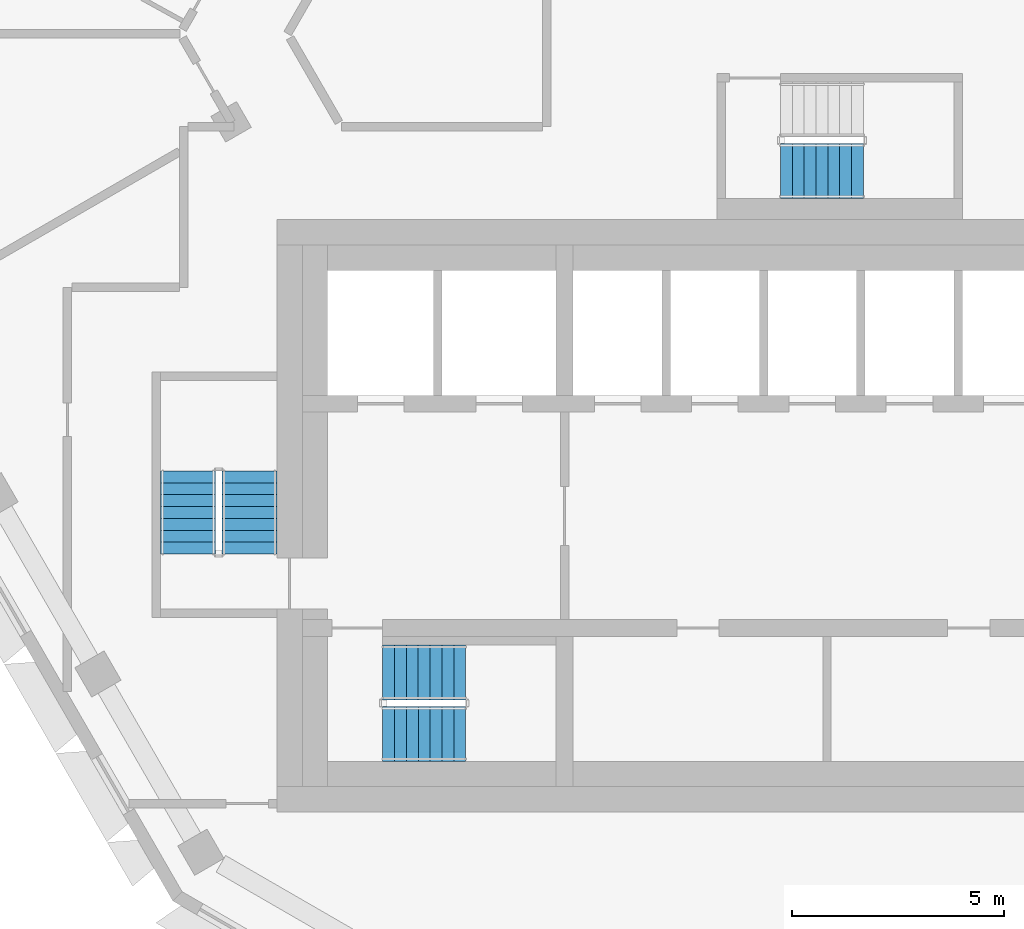
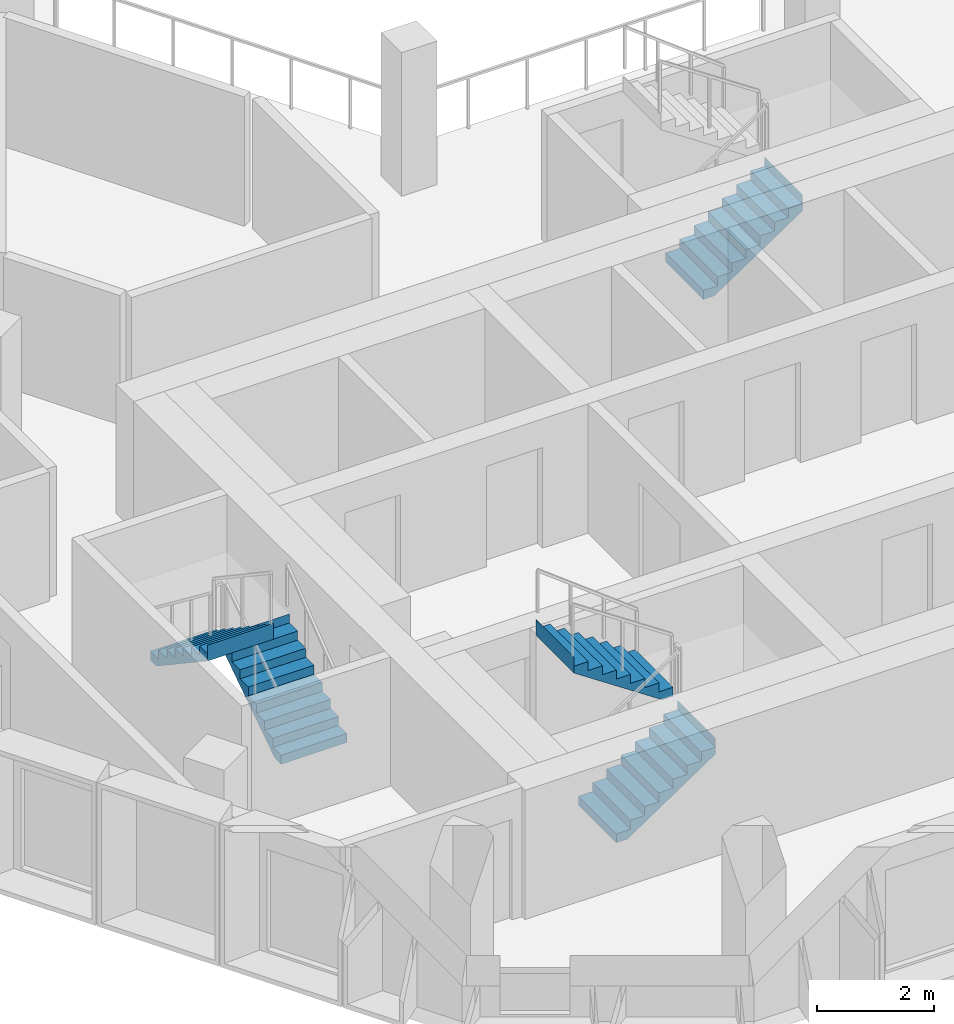
# One storey, part 8 of 14: 5 stair flights, 3 elements without a shape of their own.
"""IFC4 building model written with IfcOpenShell, lengths in metres."""

from ifc_helpers import new_model, si_unit, direction, frame, origin, place, context, subcontext, project, spatial, triangles, material, type_object, element, aggregate, save


model = new_model("IFC4")

# Units and contexts
model_context = context("Model", 3, precision=1e-05, world=origin(), true_north=direction((0.0, 1.0)))
body_context = subcontext(model_context, "Body", "Model", "MODEL_VIEW")
ifc_project = project(units=[si_unit("LENGTHUNIT", "METRE"), si_unit("AREAUNIT", "SQUARE_METRE"), si_unit("VOLUMEUNIT", "CUBIC_METRE"), si_unit("PLANEANGLEUNIT", "RADIAN"), si_unit("MASSUNIT", "GRAM", prefix="KILO")], contexts=[model_context])

# Site, building, storey
site_placement = place(None, origin())
site = spatial("IfcSite", under=ifc_project, at=site_placement, CompositionType="ELEMENT")
building_placement = place(site_placement, origin())
building = spatial("IfcBuilding", under=site, at=building_placement, Name="Beryl Residences", CompositionType="ELEMENT")
storey_placement = place(building_placement, frame((0.0, 0.0, 181.199951171875)))
storey = spatial("IfcBuildingStorey", under=building, at=storey_placement, Name="L55", CompositionType="ELEMENT", Elevation=181.199951171875)

# Stair, stair flights
ifc_material_1 = material(Name="Concrete C40/50", Category="concrete")
stair_type = type_object("IfcStairType", Name="ST1 protected exit stair, half-turn, 1300 mm flights", PredefinedType="HALF_TURN_STAIR", material=ifc_material_1)
stair_1_placement = place(storey_placement, origin())
stair_1 = element("IfcStair", 1, at=stair_1_placement, inside=storey, type_object=stair_type, Name="L55 PROTECTED EXIT STAIR ST-1", PredefinedType="HALF_TURN_STAIR")
ifc_material_2 = material(Name="Concrete C40/50", Category="concrete")
stair_flight_type = type_object("IfcStairFlightType", Name="SF1 stair flight 1300 mm", PredefinedType="STRAIGHT", material=ifc_material_2)
stair_flight_1_placement = place(storey_placement, frame((-10.800048828125, -17.14990234375, 0.0), z_axis=(0.0, 0.0, 1.0), x_axis=(1.0, 0.0, 0.0)))
stair_flight_1 = element("IfcStairFlight", 2, at=stair_flight_1_placement, type_object=stair_flight_type, Name="ST-1 flight 1", NumberOfRisers=8, NumberOfTreads=7, PredefinedType="STRAIGHT", RiserHeight=0.1875, TreadLength=0.28, context=body_context, shape_type="Tessellation", body=[
    triangles([(0.0, -0.64990234375, 0.0), (0.0, -0.324951171875, 0.0), (0.0, 0.0, 0.0), (0.0, 0.324951171875, 0.0), (0.0, 0.64990234375, 0.0), (0.0, -0.64990234375, 0.1875), (0.0, -0.324951171875, 0.1875), (0.0, 0.0, 0.1875), (0.0, 0.324951171875, 0.1875), (0.0, 0.64990234375, 0.1875), (0.280029296875, -0.64990234375, 0.1875), (0.280029296875, -0.324951171875, 0.1875), (0.280029296875, 0.0, 0.1875), (0.280029296875, 0.324951171875, 0.1875), (0.280029296875, 0.64990234375, 0.1875), (0.280029296875, -0.64990234375, 0.375), (0.280029296875, -0.324951171875, 0.375), (0.280029296875, 0.0, 0.375), (0.280029296875, 0.324951171875, 0.375), (0.280029296875, 0.64990234375, 0.375), (0.56005859375, -0.64990234375, 0.375), (0.56005859375, -0.324951171875, 0.375), (0.56005859375, 0.0, 0.375), (0.56005859375, 0.324951171875, 0.375), (0.56005859375, 0.64990234375, 0.375), (0.56005859375, -0.64990234375, 0.5625), (0.56005859375, -0.324951171875, 0.5625), (0.56005859375, 0.0, 0.5625), (0.56005859375, 0.324951171875, 0.5625), (0.56005859375, 0.64990234375, 0.5625), (0.840087890625, -0.64990234375, 0.5625), (0.840087890625, -0.324951171875, 0.5625), (0.840087890625, 0.0, 0.5625), (0.840087890625, 0.324951171875, 0.5625), (0.840087890625, 0.64990234375, 0.5625), (0.840087890625, -0.64990234375, 0.75), (0.840087890625, -0.324951171875, 0.75), (0.840087890625, 0.0, 0.75), (0.840087890625, 0.324951171875, 0.75), (0.840087890625, 0.64990234375, 0.75), (1.1201171875, -0.64990234375, 0.75), (1.1201171875, -0.324951171875, 0.75), (1.1201171875, 0.0, 0.75), (1.1201171875, 0.324951171875, 0.75), (1.1201171875, 0.64990234375, 0.75), (1.1201171875, -0.64990234375, 0.9375), (1.1201171875, -0.324951171875, 0.9375), (1.1201171875, 0.0, 0.9375), (1.1201171875, 0.324951171875, 0.9375), (1.1201171875, 0.64990234375, 0.9375), (1.39990234375, -0.64990234375, 0.9375), (1.39990234375, -0.324951171875, 0.9375), (1.39990234375, 0.0, 0.9375), (1.39990234375, 0.324951171875, 0.9375), (1.39990234375, 0.64990234375, 0.9375), (1.39990234375, -0.64990234375, 1.125), (1.39990234375, -0.324951171875, 1.125), (1.39990234375, 0.0, 1.125), (1.39990234375, 0.324951171875, 1.125), (1.39990234375, 0.64990234375, 1.125), (1.679931640625, -0.64990234375, 1.125), (1.679931640625, -0.324951171875, 1.125), (1.679931640625, 0.0, 1.125), (1.679931640625, 0.324951171875, 1.125), (1.679931640625, 0.64990234375, 1.125), (1.679931640625, -0.64990234375, 1.3125), (1.679931640625, -0.324951171875, 1.3125), (1.679931640625, 0.0, 1.3125), (1.679931640625, 0.324951171875, 1.3125), (1.679931640625, 0.64990234375, 1.3125), (1.9599609375, -0.64990234375, 1.3125), (1.9599609375, -0.324951171875, 1.3125), (1.9599609375, 0.0, 1.3125), (1.9599609375, 0.324951171875, 1.3125), (1.9599609375, 0.64990234375, 1.3125), (1.9599609375, -0.64990234375, 1.5), (1.9599609375, -0.324951171875, 1.5), (1.9599609375, 0.0, 1.5), (1.9599609375, 0.324951171875, 1.5), (1.9599609375, 0.64990234375, 1.5), (1.9609375, -0.64990234375, 1.5), (1.9609375, -0.324951171875, 1.5), (1.9609375, 0.0, 1.5), (1.9609375, 0.324951171875, 1.5), (1.9609375, 0.64990234375, 1.5), (1.9609375, -0.64990234375, 1.16796875), (1.9609375, -0.324951171875, 1.16796875), (1.9609375, 0.0, 1.16796875), (1.9609375, 0.324951171875, 1.16796875), (1.9609375, 0.64990234375, 1.16796875), (0.216796875, -0.64990234375, 0.0), (0.216796875, -0.324951171875, 0.0), (0.216796875, 0.0, 0.0), (0.216796875, 0.324951171875, 0.0), (0.216796875, 0.64990234375, 0.0)], [[1, 6, 7], [1, 7, 2], [2, 7, 8], [2, 8, 3], [3, 8, 9], [3, 9, 4], [4, 9, 10], [4, 10, 5], [6, 11, 12], [6, 12, 7], [7, 12, 13], [7, 13, 8], [8, 13, 14], [8, 14, 9], [9, 14, 15], [9, 15, 10], [11, 16, 17], [11, 17, 12], [12, 17, 18], [12, 18, 13], [13, 18, 19], [13, 19, 14], [14, 19, 20], [14, 20, 15], [16, 21, 22], [16, 22, 17], [17, 22, 23], [17, 23, 18], [18, 23, 24], [18, 24, 19], [19, 24, 25], [19, 25, 20], [21, 26, 27], [21, 27, 22], [22, 27, 28], [22, 28, 23], [23, 28, 29], [23, 29, 24], [24, 29, 30], [24, 30, 25], [26, 31, 32], [26, 32, 27], [27, 32, 33], [27, 33, 28], [28, 33, 34], [28, 34, 29], [29, 34, 35], [29, 35, 30], [31, 36, 37], [31, 37, 32], [32, 37, 38], [32, 38, 33], [33, 38, 39], [33, 39, 34], [34, 39, 40], [34, 40, 35], [36, 41, 42], [36, 42, 37], [37, 42, 43], [37, 43, 38], [38, 43, 44], [38, 44, 39], [39, 44, 45], [39, 45, 40], [41, 46, 47], [41, 47, 42], [42, 47, 48], [42, 48, 43], [43, 48, 49], [43, 49, 44], [44, 49, 50], [44, 50, 45], [46, 51, 52], [46, 52, 47], [47, 52, 53], [47, 53, 48], [48, 53, 54], [48, 54, 49], [49, 54, 55], [49, 55, 50], [51, 56, 57], [51, 57, 52], [52, 57, 58], [52, 58, 53], [53, 58, 59], [53, 59, 54], [54, 59, 60], [54, 60, 55], [56, 61, 62], [56, 62, 57], [57, 62, 63], [57, 63, 58], [58, 63, 64], [58, 64, 59], [59, 64, 65], [59, 65, 60], [61, 66, 67], [61, 67, 62], [62, 67, 68], [62, 68, 63], [63, 68, 69], [63, 69, 64], [64, 69, 70], [64, 70, 65], [66, 71, 72], [66, 72, 67], [67, 72, 73], [67, 73, 68], [68, 73, 74], [68, 74, 69], [69, 74, 75], [69, 75, 70], [71, 76, 77], [71, 77, 72], [72, 77, 78], [72, 78, 73], [73, 78, 79], [73, 79, 74], [74, 79, 80], [74, 80, 75], [76, 81, 82], [76, 82, 77], [77, 82, 83], [77, 83, 78], [78, 83, 84], [78, 84, 79], [79, 84, 85], [79, 85, 80], [81, 86, 87], [81, 87, 82], [82, 87, 88], [82, 88, 83], [83, 88, 89], [83, 89, 84], [84, 89, 90], [84, 90, 85], [86, 91, 92], [86, 92, 87], [87, 92, 93], [87, 93, 88], [88, 93, 94], [88, 94, 89], [89, 94, 95], [89, 95, 90], [91, 1, 2], [91, 2, 92], [92, 2, 3], [92, 3, 93], [93, 3, 4], [93, 4, 94], [94, 4, 5], [94, 5, 95], [1, 91, 86], [5, 90, 95], [86, 81, 76], [90, 80, 85], [86, 76, 71], [90, 75, 80], [86, 71, 66], [90, 70, 75], [86, 66, 61], [90, 65, 70], [61, 56, 51], [65, 55, 60], [86, 61, 51], [90, 55, 65], [51, 46, 41], [55, 45, 50], [86, 51, 41], [90, 45, 55], [41, 36, 31], [45, 35, 40], [86, 41, 31], [90, 35, 45], [31, 26, 21], [35, 25, 30], [86, 31, 21], [90, 25, 35], [21, 16, 11], [25, 15, 20], [86, 21, 11], [90, 15, 25], [1, 86, 11], [5, 15, 90], [11, 6, 1], [15, 5, 10]], closed=True),
])
stair_flight_2_placement = place(storey_placement, frame((-8.840087890625, -15.699951171875, 1.5), z_axis=(0.0, 0.0, 1.0), x_axis=(-1.0, 0.0, 0.0)))
stair_flight_2 = element("IfcStairFlight", 3, at=stair_flight_2_placement, type_object=stair_flight_type, Name="ST-1 flight 2", NumberOfRisers=8, NumberOfTreads=7, PredefinedType="STRAIGHT", RiserHeight=0.1875, TreadLength=0.28, context=body_context, shape_type="Tessellation", body=[
    triangles([(0.0, -0.64990234375, 0.0), (0.0, -0.324951171875, 0.0), (0.0, 0.0, 0.0), (0.0, 0.324951171875, 0.0), (0.0, 0.64990234375, 0.0), (0.0, -0.64990234375, 0.1875), (0.0, -0.324951171875, 0.1875), (0.0, 0.0, 0.1875), (0.0, 0.324951171875, 0.1875), (0.0, 0.64990234375, 0.1875), (0.280029296875, -0.64990234375, 0.1875), (0.280029296875, -0.324951171875, 0.1875), (0.280029296875, 0.0, 0.1875), (0.280029296875, 0.324951171875, 0.1875), (0.280029296875, 0.64990234375, 0.1875), (0.280029296875, -0.64990234375, 0.375), (0.280029296875, -0.324951171875, 0.375), (0.280029296875, 0.0, 0.375), (0.280029296875, 0.324951171875, 0.375), (0.280029296875, 0.64990234375, 0.375), (0.56005859375, -0.64990234375, 0.375), (0.56005859375, -0.324951171875, 0.375), (0.56005859375, 0.0, 0.375), (0.56005859375, 0.324951171875, 0.375), (0.56005859375, 0.64990234375, 0.375), (0.56005859375, -0.64990234375, 0.5625), (0.56005859375, -0.324951171875, 0.5625), (0.56005859375, 0.0, 0.5625), (0.56005859375, 0.324951171875, 0.5625), (0.56005859375, 0.64990234375, 0.5625), (0.840087890625, -0.64990234375, 0.5625), (0.840087890625, -0.324951171875, 0.5625), (0.840087890625, 0.0, 0.5625), (0.840087890625, 0.324951171875, 0.5625), (0.840087890625, 0.64990234375, 0.5625), (0.840087890625, -0.64990234375, 0.75), (0.840087890625, -0.324951171875, 0.75), (0.840087890625, 0.0, 0.75), (0.840087890625, 0.324951171875, 0.75), (0.840087890625, 0.64990234375, 0.75), (1.1201171875, -0.64990234375, 0.75), (1.1201171875, -0.324951171875, 0.75), (1.1201171875, 0.0, 0.75), (1.1201171875, 0.324951171875, 0.75), (1.1201171875, 0.64990234375, 0.75), (1.1201171875, -0.64990234375, 0.9375), (1.1201171875, -0.324951171875, 0.9375), (1.1201171875, 0.0, 0.9375), (1.1201171875, 0.324951171875, 0.9375), (1.1201171875, 0.64990234375, 0.9375), (1.39990234375, -0.64990234375, 0.9375), (1.39990234375, -0.324951171875, 0.9375), (1.39990234375, 0.0, 0.9375), (1.39990234375, 0.324951171875, 0.9375), (1.39990234375, 0.64990234375, 0.9375), (1.39990234375, -0.64990234375, 1.125), (1.39990234375, -0.324951171875, 1.125), (1.39990234375, 0.0, 1.125), (1.39990234375, 0.324951171875, 1.125), (1.39990234375, 0.64990234375, 1.125), (1.679931640625, -0.64990234375, 1.125), (1.679931640625, -0.324951171875, 1.125), (1.679931640625, 0.0, 1.125), (1.679931640625, 0.324951171875, 1.125), (1.679931640625, 0.64990234375, 1.125), (1.679931640625, -0.64990234375, 1.3125), (1.679931640625, -0.324951171875, 1.3125), (1.679931640625, 0.0, 1.3125), (1.679931640625, 0.324951171875, 1.3125), (1.679931640625, 0.64990234375, 1.3125), (1.9599609375, -0.64990234375, 1.3125), (1.9599609375, -0.324951171875, 1.3125), (1.9599609375, 0.0, 1.3125), (1.9599609375, 0.324951171875, 1.3125), (1.9599609375, 0.64990234375, 1.3125), (1.9599609375, -0.64990234375, 1.5), (1.9599609375, -0.324951171875, 1.5), (1.9599609375, 0.0, 1.5), (1.9599609375, 0.324951171875, 1.5), (1.9599609375, 0.64990234375, 1.5), (1.9609375, -0.64990234375, 1.5), (1.9609375, -0.324951171875, 1.5), (1.9609375, 0.0, 1.5), (1.9609375, 0.324951171875, 1.5), (1.9609375, 0.64990234375, 1.5), (1.9609375, -0.64990234375, 1.16796875), (1.9609375, -0.324951171875, 1.16796875), (1.9609375, 0.0, 1.16796875), (1.9609375, 0.324951171875, 1.16796875), (1.9609375, 0.64990234375, 1.16796875), (0.216796875, -0.64990234375, 0.0), (0.216796875, -0.324951171875, 0.0), (0.216796875, 0.0, 0.0), (0.216796875, 0.324951171875, 0.0), (0.216796875, 0.64990234375, 0.0)], [[1, 6, 7], [1, 7, 2], [2, 7, 8], [2, 8, 3], [3, 8, 9], [3, 9, 4], [4, 9, 10], [4, 10, 5], [6, 11, 12], [6, 12, 7], [7, 12, 13], [7, 13, 8], [8, 13, 14], [8, 14, 9], [9, 14, 15], [9, 15, 10], [11, 16, 17], [11, 17, 12], [12, 17, 18], [12, 18, 13], [13, 18, 19], [13, 19, 14], [14, 19, 20], [14, 20, 15], [16, 21, 22], [16, 22, 17], [17, 22, 23], [17, 23, 18], [18, 23, 24], [18, 24, 19], [19, 24, 25], [19, 25, 20], [21, 26, 27], [21, 27, 22], [22, 27, 28], [22, 28, 23], [23, 28, 29], [23, 29, 24], [24, 29, 30], [24, 30, 25], [26, 31, 32], [26, 32, 27], [27, 32, 33], [27, 33, 28], [28, 33, 34], [28, 34, 29], [29, 34, 35], [29, 35, 30], [31, 36, 37], [31, 37, 32], [32, 37, 38], [32, 38, 33], [33, 38, 39], [33, 39, 34], [34, 39, 40], [34, 40, 35], [36, 41, 42], [36, 42, 37], [37, 42, 43], [37, 43, 38], [38, 43, 44], [38, 44, 39], [39, 44, 45], [39, 45, 40], [41, 46, 47], [41, 47, 42], [42, 47, 48], [42, 48, 43], [43, 48, 49], [43, 49, 44], [44, 49, 50], [44, 50, 45], [46, 51, 52], [46, 52, 47], [47, 52, 53], [47, 53, 48], [48, 53, 54], [48, 54, 49], [49, 54, 55], [49, 55, 50], [51, 56, 57], [51, 57, 52], [52, 57, 58], [52, 58, 53], [53, 58, 59], [53, 59, 54], [54, 59, 60], [54, 60, 55], [56, 61, 62], [56, 62, 57], [57, 62, 63], [57, 63, 58], [58, 63, 64], [58, 64, 59], [59, 64, 65], [59, 65, 60], [61, 66, 67], [61, 67, 62], [62, 67, 68], [62, 68, 63], [63, 68, 69], [63, 69, 64], [64, 69, 70], [64, 70, 65], [66, 71, 72], [66, 72, 67], [67, 72, 73], [67, 73, 68], [68, 73, 74], [68, 74, 69], [69, 74, 75], [69, 75, 70], [71, 76, 77], [71, 77, 72], [72, 77, 78], [72, 78, 73], [73, 78, 79], [73, 79, 74], [74, 79, 80], [74, 80, 75], [76, 81, 82], [76, 82, 77], [77, 82, 83], [77, 83, 78], [78, 83, 84], [78, 84, 79], [79, 84, 85], [79, 85, 80], [81, 86, 87], [81, 87, 82], [82, 87, 88], [82, 88, 83], [83, 88, 89], [83, 89, 84], [84, 89, 90], [84, 90, 85], [86, 91, 92], [86, 92, 87], [87, 92, 93], [87, 93, 88], [88, 93, 94], [88, 94, 89], [89, 94, 95], [89, 95, 90], [91, 1, 2], [91, 2, 92], [92, 2, 3], [92, 3, 93], [93, 3, 4], [93, 4, 94], [94, 4, 5], [94, 5, 95], [1, 91, 86], [5, 90, 95], [86, 81, 76], [90, 80, 85], [86, 76, 71], [90, 75, 80], [86, 71, 66], [90, 70, 75], [86, 66, 61], [90, 65, 70], [61, 56, 51], [65, 55, 60], [86, 61, 51], [90, 55, 65], [51, 46, 41], [55, 45, 50], [86, 51, 41], [90, 45, 55], [41, 36, 31], [45, 35, 40], [86, 41, 31], [90, 35, 45], [31, 26, 21], [35, 25, 30], [86, 31, 21], [90, 25, 35], [21, 16, 11], [25, 15, 20], [86, 21, 11], [90, 15, 25], [1, 86, 11], [5, 15, 90], [11, 6, 1], [15, 5, 10]], closed=True),
])
aggregate(stair_1, [stair_flight_1, stair_flight_2])

stair_2_placement = place(storey_placement, origin())
stair_2 = element("IfcStair", 4, at=stair_2_placement, inside=storey, type_object=stair_type, Name="L55 PROTECTED EXIT STAIR ST-2", PredefinedType="HALF_TURN_STAIR")
stair_flight_3_placement = place(storey_placement, frame((-13.949951171875, -12.89990234375, 0.0), z_axis=(0.0, 0.0, 1.0), x_axis=(0.0, 1.0, 0.0)))
stair_flight_3 = element("IfcStairFlight", 5, at=stair_flight_3_placement, type_object=stair_flight_type, Name="ST-2 flight 1", NumberOfRisers=8, NumberOfTreads=7, PredefinedType="STRAIGHT", RiserHeight=0.1875, TreadLength=0.28, context=body_context, shape_type="Tessellation", body=[
    triangles([(0.0, -0.64990234375, 0.0), (0.0, -0.324951171875, 0.0), (0.0, 0.0, 0.0), (0.0, 0.324951171875, 0.0), (0.0, 0.64990234375, 0.0), (0.0, -0.64990234375, 0.1875), (0.0, -0.324951171875, 0.1875), (0.0, 0.0, 0.1875), (0.0, 0.324951171875, 0.1875), (0.0, 0.64990234375, 0.1875), (0.280029296875, -0.64990234375, 0.1875), (0.280029296875, -0.324951171875, 0.1875), (0.280029296875, 0.0, 0.1875), (0.280029296875, 0.324951171875, 0.1875), (0.280029296875, 0.64990234375, 0.1875), (0.280029296875, -0.64990234375, 0.375), (0.280029296875, -0.324951171875, 0.375), (0.280029296875, 0.0, 0.375), (0.280029296875, 0.324951171875, 0.375), (0.280029296875, 0.64990234375, 0.375), (0.56005859375, -0.64990234375, 0.375), (0.56005859375, -0.324951171875, 0.375), (0.56005859375, 0.0, 0.375), (0.56005859375, 0.324951171875, 0.375), (0.56005859375, 0.64990234375, 0.375), (0.56005859375, -0.64990234375, 0.5625), (0.56005859375, -0.324951171875, 0.5625), (0.56005859375, 0.0, 0.5625), (0.56005859375, 0.324951171875, 0.5625), (0.56005859375, 0.64990234375, 0.5625), (0.840087890625, -0.64990234375, 0.5625), (0.840087890625, -0.324951171875, 0.5625), (0.840087890625, 0.0, 0.5625), (0.840087890625, 0.324951171875, 0.5625), (0.840087890625, 0.64990234375, 0.5625), (0.840087890625, -0.64990234375, 0.75), (0.840087890625, -0.324951171875, 0.75), (0.840087890625, 0.0, 0.75), (0.840087890625, 0.324951171875, 0.75), (0.840087890625, 0.64990234375, 0.75), (1.1201171875, -0.64990234375, 0.75), (1.1201171875, -0.324951171875, 0.75), (1.1201171875, 0.0, 0.75), (1.1201171875, 0.324951171875, 0.75), (1.1201171875, 0.64990234375, 0.75), (1.1201171875, -0.64990234375, 0.9375), (1.1201171875, -0.324951171875, 0.9375), (1.1201171875, 0.0, 0.9375), (1.1201171875, 0.324951171875, 0.9375), (1.1201171875, 0.64990234375, 0.9375), (1.39990234375, -0.64990234375, 0.9375), (1.39990234375, -0.324951171875, 0.9375), (1.39990234375, 0.0, 0.9375), (1.39990234375, 0.324951171875, 0.9375), (1.39990234375, 0.64990234375, 0.9375), (1.39990234375, -0.64990234375, 1.125), (1.39990234375, -0.324951171875, 1.125), (1.39990234375, 0.0, 1.125), (1.39990234375, 0.324951171875, 1.125), (1.39990234375, 0.64990234375, 1.125), (1.679931640625, -0.64990234375, 1.125), (1.679931640625, -0.324951171875, 1.125), (1.679931640625, 0.0, 1.125), (1.679931640625, 0.324951171875, 1.125), (1.679931640625, 0.64990234375, 1.125), (1.679931640625, -0.64990234375, 1.3125), (1.679931640625, -0.324951171875, 1.3125), (1.679931640625, 0.0, 1.3125), (1.679931640625, 0.324951171875, 1.3125), (1.679931640625, 0.64990234375, 1.3125), (1.9599609375, -0.64990234375, 1.3125), (1.9599609375, -0.324951171875, 1.3125), (1.9599609375, 0.0, 1.3125), (1.9599609375, 0.324951171875, 1.3125), (1.9599609375, 0.64990234375, 1.3125), (1.9599609375, -0.64990234375, 1.5), (1.9599609375, -0.324951171875, 1.5), (1.9599609375, 0.0, 1.5), (1.9599609375, 0.324951171875, 1.5), (1.9599609375, 0.64990234375, 1.5), (1.9609375, -0.64990234375, 1.5), (1.9609375, -0.324951171875, 1.5), (1.9609375, 0.0, 1.5), (1.9609375, 0.324951171875, 1.5), (1.9609375, 0.64990234375, 1.5), (1.9609375, -0.64990234375, 1.16796875), (1.9609375, -0.324951171875, 1.16796875), (1.9609375, 0.0, 1.16796875), (1.9609375, 0.324951171875, 1.16796875), (1.9609375, 0.64990234375, 1.16796875), (0.216796875, -0.64990234375, 0.0), (0.216796875, -0.324951171875, 0.0), (0.216796875, 0.0, 0.0), (0.216796875, 0.324951171875, 0.0), (0.216796875, 0.64990234375, 0.0)], [[1, 6, 7], [1, 7, 2], [2, 7, 8], [2, 8, 3], [3, 8, 9], [3, 9, 4], [4, 9, 10], [4, 10, 5], [6, 11, 12], [6, 12, 7], [7, 12, 13], [7, 13, 8], [8, 13, 14], [8, 14, 9], [9, 14, 15], [9, 15, 10], [11, 16, 17], [11, 17, 12], [12, 17, 18], [12, 18, 13], [13, 18, 19], [13, 19, 14], [14, 19, 20], [14, 20, 15], [16, 21, 22], [16, 22, 17], [17, 22, 23], [17, 23, 18], [18, 23, 24], [18, 24, 19], [19, 24, 25], [19, 25, 20], [21, 26, 27], [21, 27, 22], [22, 27, 28], [22, 28, 23], [23, 28, 29], [23, 29, 24], [24, 29, 30], [24, 30, 25], [26, 31, 32], [26, 32, 27], [27, 32, 33], [27, 33, 28], [28, 33, 34], [28, 34, 29], [29, 34, 35], [29, 35, 30], [31, 36, 37], [31, 37, 32], [32, 37, 38], [32, 38, 33], [33, 38, 39], [33, 39, 34], [34, 39, 40], [34, 40, 35], [36, 41, 42], [36, 42, 37], [37, 42, 43], [37, 43, 38], [38, 43, 44], [38, 44, 39], [39, 44, 45], [39, 45, 40], [41, 46, 47], [41, 47, 42], [42, 47, 48], [42, 48, 43], [43, 48, 49], [43, 49, 44], [44, 49, 50], [44, 50, 45], [46, 51, 52], [46, 52, 47], [47, 52, 53], [47, 53, 48], [48, 53, 54], [48, 54, 49], [49, 54, 55], [49, 55, 50], [51, 56, 57], [51, 57, 52], [52, 57, 58], [52, 58, 53], [53, 58, 59], [53, 59, 54], [54, 59, 60], [54, 60, 55], [56, 61, 62], [56, 62, 57], [57, 62, 63], [57, 63, 58], [58, 63, 64], [58, 64, 59], [59, 64, 65], [59, 65, 60], [61, 66, 67], [61, 67, 62], [62, 67, 68], [62, 68, 63], [63, 68, 69], [63, 69, 64], [64, 69, 70], [64, 70, 65], [66, 71, 72], [66, 72, 67], [67, 72, 73], [67, 73, 68], [68, 73, 74], [68, 74, 69], [69, 74, 75], [69, 75, 70], [71, 76, 77], [71, 77, 72], [72, 77, 78], [72, 78, 73], [73, 78, 79], [73, 79, 74], [74, 79, 80], [74, 80, 75], [76, 81, 82], [76, 82, 77], [77, 82, 83], [77, 83, 78], [78, 83, 84], [78, 84, 79], [79, 84, 85], [79, 85, 80], [81, 86, 87], [81, 87, 82], [82, 87, 88], [82, 88, 83], [83, 88, 89], [83, 89, 84], [84, 89, 90], [84, 90, 85], [86, 91, 92], [86, 92, 87], [87, 92, 93], [87, 93, 88], [88, 93, 94], [88, 94, 89], [89, 94, 95], [89, 95, 90], [91, 1, 2], [91, 2, 92], [92, 2, 3], [92, 3, 93], [93, 3, 4], [93, 4, 94], [94, 4, 5], [94, 5, 95], [1, 91, 86], [5, 90, 95], [86, 81, 76], [90, 80, 85], [86, 76, 71], [90, 75, 80], [86, 71, 66], [90, 70, 75], [86, 66, 61], [90, 65, 70], [61, 56, 51], [65, 55, 60], [86, 61, 51], [90, 55, 65], [51, 46, 41], [55, 45, 50], [86, 51, 41], [90, 45, 55], [41, 36, 31], [45, 35, 40], [86, 41, 31], [90, 35, 45], [31, 26, 21], [35, 25, 30], [86, 31, 21], [90, 25, 35], [21, 16, 11], [25, 15, 20], [86, 21, 11], [90, 15, 25], [1, 86, 11], [5, 15, 90], [11, 6, 1], [15, 5, 10]], closed=True),
])
stair_flight_4_placement = place(storey_placement, frame((-15.39990234375, -10.93994140625, 1.5), z_axis=(0.0, 0.0, 1.0), x_axis=(0.0, -1.0, 0.0)))
stair_flight_4 = element("IfcStairFlight", 6, at=stair_flight_4_placement, type_object=stair_flight_type, Name="ST-2 flight 2", NumberOfRisers=8, NumberOfTreads=7, PredefinedType="STRAIGHT", RiserHeight=0.1875, TreadLength=0.28, context=body_context, shape_type="Tessellation", body=[
    triangles([(0.0, -0.64990234375, 0.0), (0.0, -0.324951171875, 0.0), (0.0, 0.0, 0.0), (0.0, 0.324951171875, 0.0), (0.0, 0.64990234375, 0.0), (0.0, -0.64990234375, 0.1875), (0.0, -0.324951171875, 0.1875), (0.0, 0.0, 0.1875), (0.0, 0.324951171875, 0.1875), (0.0, 0.64990234375, 0.1875), (0.280029296875, -0.64990234375, 0.1875), (0.280029296875, -0.324951171875, 0.1875), (0.280029296875, 0.0, 0.1875), (0.280029296875, 0.324951171875, 0.1875), (0.280029296875, 0.64990234375, 0.1875), (0.280029296875, -0.64990234375, 0.375), (0.280029296875, -0.324951171875, 0.375), (0.280029296875, 0.0, 0.375), (0.280029296875, 0.324951171875, 0.375), (0.280029296875, 0.64990234375, 0.375), (0.56005859375, -0.64990234375, 0.375), (0.56005859375, -0.324951171875, 0.375), (0.56005859375, 0.0, 0.375), (0.56005859375, 0.324951171875, 0.375), (0.56005859375, 0.64990234375, 0.375), (0.56005859375, -0.64990234375, 0.5625), (0.56005859375, -0.324951171875, 0.5625), (0.56005859375, 0.0, 0.5625), (0.56005859375, 0.324951171875, 0.5625), (0.56005859375, 0.64990234375, 0.5625), (0.840087890625, -0.64990234375, 0.5625), (0.840087890625, -0.324951171875, 0.5625), (0.840087890625, 0.0, 0.5625), (0.840087890625, 0.324951171875, 0.5625), (0.840087890625, 0.64990234375, 0.5625), (0.840087890625, -0.64990234375, 0.75), (0.840087890625, -0.324951171875, 0.75), (0.840087890625, 0.0, 0.75), (0.840087890625, 0.324951171875, 0.75), (0.840087890625, 0.64990234375, 0.75), (1.1201171875, -0.64990234375, 0.75), (1.1201171875, -0.324951171875, 0.75), (1.1201171875, 0.0, 0.75), (1.1201171875, 0.324951171875, 0.75), (1.1201171875, 0.64990234375, 0.75), (1.1201171875, -0.64990234375, 0.9375), (1.1201171875, -0.324951171875, 0.9375), (1.1201171875, 0.0, 0.9375), (1.1201171875, 0.324951171875, 0.9375), (1.1201171875, 0.64990234375, 0.9375), (1.39990234375, -0.64990234375, 0.9375), (1.39990234375, -0.324951171875, 0.9375), (1.39990234375, 0.0, 0.9375), (1.39990234375, 0.324951171875, 0.9375), (1.39990234375, 0.64990234375, 0.9375), (1.39990234375, -0.64990234375, 1.125), (1.39990234375, -0.324951171875, 1.125), (1.39990234375, 0.0, 1.125), (1.39990234375, 0.324951171875, 1.125), (1.39990234375, 0.64990234375, 1.125), (1.679931640625, -0.64990234375, 1.125), (1.679931640625, -0.324951171875, 1.125), (1.679931640625, 0.0, 1.125), (1.679931640625, 0.324951171875, 1.125), (1.679931640625, 0.64990234375, 1.125), (1.679931640625, -0.64990234375, 1.3125), (1.679931640625, -0.324951171875, 1.3125), (1.679931640625, 0.0, 1.3125), (1.679931640625, 0.324951171875, 1.3125), (1.679931640625, 0.64990234375, 1.3125), (1.9599609375, -0.64990234375, 1.3125), (1.9599609375, -0.324951171875, 1.3125), (1.9599609375, 0.0, 1.3125), (1.9599609375, 0.324951171875, 1.3125), (1.9599609375, 0.64990234375, 1.3125), (1.9599609375, -0.64990234375, 1.5), (1.9599609375, -0.324951171875, 1.5), (1.9599609375, 0.0, 1.5), (1.9599609375, 0.324951171875, 1.5), (1.9599609375, 0.64990234375, 1.5), (1.9609375, -0.64990234375, 1.5), (1.9609375, -0.324951171875, 1.5), (1.9609375, 0.0, 1.5), (1.9609375, 0.324951171875, 1.5), (1.9609375, 0.64990234375, 1.5), (1.9609375, -0.64990234375, 1.16796875), (1.9609375, -0.324951171875, 1.16796875), (1.9609375, 0.0, 1.16796875), (1.9609375, 0.324951171875, 1.16796875), (1.9609375, 0.64990234375, 1.16796875), (0.216796875, -0.64990234375, 0.0), (0.216796875, -0.324951171875, 0.0), (0.216796875, 0.0, 0.0), (0.216796875, 0.324951171875, 0.0), (0.216796875, 0.64990234375, 0.0)], [[1, 6, 7], [1, 7, 2], [2, 7, 8], [2, 8, 3], [3, 8, 9], [3, 9, 4], [4, 9, 10], [4, 10, 5], [6, 11, 12], [6, 12, 7], [7, 12, 13], [7, 13, 8], [8, 13, 14], [8, 14, 9], [9, 14, 15], [9, 15, 10], [11, 16, 17], [11, 17, 12], [12, 17, 18], [12, 18, 13], [13, 18, 19], [13, 19, 14], [14, 19, 20], [14, 20, 15], [16, 21, 22], [16, 22, 17], [17, 22, 23], [17, 23, 18], [18, 23, 24], [18, 24, 19], [19, 24, 25], [19, 25, 20], [21, 26, 27], [21, 27, 22], [22, 27, 28], [22, 28, 23], [23, 28, 29], [23, 29, 24], [24, 29, 30], [24, 30, 25], [26, 31, 32], [26, 32, 27], [27, 32, 33], [27, 33, 28], [28, 33, 34], [28, 34, 29], [29, 34, 35], [29, 35, 30], [31, 36, 37], [31, 37, 32], [32, 37, 38], [32, 38, 33], [33, 38, 39], [33, 39, 34], [34, 39, 40], [34, 40, 35], [36, 41, 42], [36, 42, 37], [37, 42, 43], [37, 43, 38], [38, 43, 44], [38, 44, 39], [39, 44, 45], [39, 45, 40], [41, 46, 47], [41, 47, 42], [42, 47, 48], [42, 48, 43], [43, 48, 49], [43, 49, 44], [44, 49, 50], [44, 50, 45], [46, 51, 52], [46, 52, 47], [47, 52, 53], [47, 53, 48], [48, 53, 54], [48, 54, 49], [49, 54, 55], [49, 55, 50], [51, 56, 57], [51, 57, 52], [52, 57, 58], [52, 58, 53], [53, 58, 59], [53, 59, 54], [54, 59, 60], [54, 60, 55], [56, 61, 62], [56, 62, 57], [57, 62, 63], [57, 63, 58], [58, 63, 64], [58, 64, 59], [59, 64, 65], [59, 65, 60], [61, 66, 67], [61, 67, 62], [62, 67, 68], [62, 68, 63], [63, 68, 69], [63, 69, 64], [64, 69, 70], [64, 70, 65], [66, 71, 72], [66, 72, 67], [67, 72, 73], [67, 73, 68], [68, 73, 74], [68, 74, 69], [69, 74, 75], [69, 75, 70], [71, 76, 77], [71, 77, 72], [72, 77, 78], [72, 78, 73], [73, 78, 79], [73, 79, 74], [74, 79, 80], [74, 80, 75], [76, 81, 82], [76, 82, 77], [77, 82, 83], [77, 83, 78], [78, 83, 84], [78, 84, 79], [79, 84, 85], [79, 85, 80], [81, 86, 87], [81, 87, 82], [82, 87, 88], [82, 88, 83], [83, 88, 89], [83, 89, 84], [84, 89, 90], [84, 90, 85], [86, 91, 92], [86, 92, 87], [87, 92, 93], [87, 93, 88], [88, 93, 94], [88, 94, 89], [89, 94, 95], [89, 95, 90], [91, 1, 2], [91, 2, 92], [92, 2, 3], [92, 3, 93], [93, 3, 4], [93, 4, 94], [94, 4, 5], [94, 5, 95], [1, 91, 86], [5, 90, 95], [86, 81, 76], [90, 80, 85], [86, 76, 71], [90, 75, 80], [86, 71, 66], [90, 70, 75], [86, 66, 61], [90, 65, 70], [61, 56, 51], [65, 55, 60], [86, 61, 51], [90, 55, 65], [51, 46, 41], [55, 45, 50], [86, 51, 41], [90, 45, 55], [41, 36, 31], [45, 35, 40], [86, 41, 31], [90, 35, 45], [31, 26, 21], [35, 25, 30], [86, 31, 21], [90, 25, 35], [21, 16, 11], [25, 15, 20], [86, 21, 11], [90, 15, 25], [1, 86, 11], [5, 15, 90], [11, 6, 1], [15, 5, 10]], closed=True),
])
aggregate(stair_2, [stair_flight_3, stair_flight_4])

# Stair, stair flight
stair_3_placement = place(storey_placement, origin())
stair_3 = element("IfcStair", 7, at=stair_3_placement, inside=storey, type_object=stair_type, Name="L55 PROTECTED EXIT STAIR ST-4", PredefinedType="HALF_TURN_STAIR")
stair_flight_5_placement = place(storey_placement, frame((-1.39990234375, -3.85009765625, 0.0), z_axis=(0.0, 0.0, 1.0), x_axis=(1.0, 0.0, 0.0)))
stair_flight_5 = element("IfcStairFlight", 8, at=stair_flight_5_placement, type_object=stair_flight_type, Name="ST-4 flight 1", NumberOfRisers=8, NumberOfTreads=7, PredefinedType="STRAIGHT", RiserHeight=0.1875, TreadLength=0.28, context=body_context, shape_type="Tessellation", body=[
    triangles([(0.0, -0.64990234375, 0.0), (0.0, -0.324951171875, 0.0), (0.0, 0.0, 0.0), (0.0, 0.324951171875, 0.0), (0.0, 0.64990234375, 0.0), (0.0, -0.64990234375, 0.1875), (0.0, -0.324951171875, 0.1875), (0.0, 0.0, 0.1875), (0.0, 0.324951171875, 0.1875), (0.0, 0.64990234375, 0.1875), (0.280029296875, -0.64990234375, 0.1875), (0.280029296875, -0.324951171875, 0.1875), (0.280029296875, 0.0, 0.1875), (0.280029296875, 0.324951171875, 0.1875), (0.280029296875, 0.64990234375, 0.1875), (0.280029296875, -0.64990234375, 0.375), (0.280029296875, -0.324951171875, 0.375), (0.280029296875, 0.0, 0.375), (0.280029296875, 0.324951171875, 0.375), (0.280029296875, 0.64990234375, 0.375), (0.56005859375, -0.64990234375, 0.375), (0.56005859375, -0.324951171875, 0.375), (0.56005859375, 0.0, 0.375), (0.56005859375, 0.324951171875, 0.375), (0.56005859375, 0.64990234375, 0.375), (0.56005859375, -0.64990234375, 0.5625), (0.56005859375, -0.324951171875, 0.5625), (0.56005859375, 0.0, 0.5625), (0.56005859375, 0.324951171875, 0.5625), (0.56005859375, 0.64990234375, 0.5625), (0.840087890625, -0.64990234375, 0.5625), (0.840087890625, -0.324951171875, 0.5625), (0.840087890625, 0.0, 0.5625), (0.840087890625, 0.324951171875, 0.5625), (0.840087890625, 0.64990234375, 0.5625), (0.840087890625, -0.64990234375, 0.75), (0.840087890625, -0.324951171875, 0.75), (0.840087890625, 0.0, 0.75), (0.840087890625, 0.324951171875, 0.75), (0.840087890625, 0.64990234375, 0.75), (1.1201171875, -0.64990234375, 0.75), (1.1201171875, -0.324951171875, 0.75), (1.1201171875, 0.0, 0.75), (1.1201171875, 0.324951171875, 0.75), (1.1201171875, 0.64990234375, 0.75), (1.1201171875, -0.64990234375, 0.9375), (1.1201171875, -0.324951171875, 0.9375), (1.1201171875, 0.0, 0.9375), (1.1201171875, 0.324951171875, 0.9375), (1.1201171875, 0.64990234375, 0.9375), (1.39990234375, -0.64990234375, 0.9375), (1.39990234375, -0.324951171875, 0.9375), (1.39990234375, 0.0, 0.9375), (1.39990234375, 0.324951171875, 0.9375), (1.39990234375, 0.64990234375, 0.9375), (1.39990234375, -0.64990234375, 1.125), (1.39990234375, -0.324951171875, 1.125), (1.39990234375, 0.0, 1.125), (1.39990234375, 0.324951171875, 1.125), (1.39990234375, 0.64990234375, 1.125), (1.679931640625, -0.64990234375, 1.125), (1.679931640625, -0.324951171875, 1.125), (1.679931640625, 0.0, 1.125), (1.679931640625, 0.324951171875, 1.125), (1.679931640625, 0.64990234375, 1.125), (1.679931640625, -0.64990234375, 1.3125), (1.679931640625, -0.324951171875, 1.3125), (1.679931640625, 0.0, 1.3125), (1.679931640625, 0.324951171875, 1.3125), (1.679931640625, 0.64990234375, 1.3125), (1.9599609375, -0.64990234375, 1.3125), (1.9599609375, -0.324951171875, 1.3125), (1.9599609375, 0.0, 1.3125), (1.9599609375, 0.324951171875, 1.3125), (1.9599609375, 0.64990234375, 1.3125), (1.9599609375, -0.64990234375, 1.5), (1.9599609375, -0.324951171875, 1.5), (1.9599609375, 0.0, 1.5), (1.9599609375, 0.324951171875, 1.5), (1.9599609375, 0.64990234375, 1.5), (1.9609375, -0.64990234375, 1.5), (1.9609375, -0.324951171875, 1.5), (1.9609375, 0.0, 1.5), (1.9609375, 0.324951171875, 1.5), (1.9609375, 0.64990234375, 1.5), (1.9609375, -0.64990234375, 1.16796875), (1.9609375, -0.324951171875, 1.16796875), (1.9609375, 0.0, 1.16796875), (1.9609375, 0.324951171875, 1.16796875), (1.9609375, 0.64990234375, 1.16796875), (0.216796875, -0.64990234375, 0.0), (0.216796875, -0.324951171875, 0.0), (0.216796875, 0.0, 0.0), (0.216796875, 0.324951171875, 0.0), (0.216796875, 0.64990234375, 0.0)], [[1, 6, 7], [1, 7, 2], [2, 7, 8], [2, 8, 3], [3, 8, 9], [3, 9, 4], [4, 9, 10], [4, 10, 5], [6, 11, 12], [6, 12, 7], [7, 12, 13], [7, 13, 8], [8, 13, 14], [8, 14, 9], [9, 14, 15], [9, 15, 10], [11, 16, 17], [11, 17, 12], [12, 17, 18], [12, 18, 13], [13, 18, 19], [13, 19, 14], [14, 19, 20], [14, 20, 15], [16, 21, 22], [16, 22, 17], [17, 22, 23], [17, 23, 18], [18, 23, 24], [18, 24, 19], [19, 24, 25], [19, 25, 20], [21, 26, 27], [21, 27, 22], [22, 27, 28], [22, 28, 23], [23, 28, 29], [23, 29, 24], [24, 29, 30], [24, 30, 25], [26, 31, 32], [26, 32, 27], [27, 32, 33], [27, 33, 28], [28, 33, 34], [28, 34, 29], [29, 34, 35], [29, 35, 30], [31, 36, 37], [31, 37, 32], [32, 37, 38], [32, 38, 33], [33, 38, 39], [33, 39, 34], [34, 39, 40], [34, 40, 35], [36, 41, 42], [36, 42, 37], [37, 42, 43], [37, 43, 38], [38, 43, 44], [38, 44, 39], [39, 44, 45], [39, 45, 40], [41, 46, 47], [41, 47, 42], [42, 47, 48], [42, 48, 43], [43, 48, 49], [43, 49, 44], [44, 49, 50], [44, 50, 45], [46, 51, 52], [46, 52, 47], [47, 52, 53], [47, 53, 48], [48, 53, 54], [48, 54, 49], [49, 54, 55], [49, 55, 50], [51, 56, 57], [51, 57, 52], [52, 57, 58], [52, 58, 53], [53, 58, 59], [53, 59, 54], [54, 59, 60], [54, 60, 55], [56, 61, 62], [56, 62, 57], [57, 62, 63], [57, 63, 58], [58, 63, 64], [58, 64, 59], [59, 64, 65], [59, 65, 60], [61, 66, 67], [61, 67, 62], [62, 67, 68], [62, 68, 63], [63, 68, 69], [63, 69, 64], [64, 69, 70], [64, 70, 65], [66, 71, 72], [66, 72, 67], [67, 72, 73], [67, 73, 68], [68, 73, 74], [68, 74, 69], [69, 74, 75], [69, 75, 70], [71, 76, 77], [71, 77, 72], [72, 77, 78], [72, 78, 73], [73, 78, 79], [73, 79, 74], [74, 79, 80], [74, 80, 75], [76, 81, 82], [76, 82, 77], [77, 82, 83], [77, 83, 78], [78, 83, 84], [78, 84, 79], [79, 84, 85], [79, 85, 80], [81, 86, 87], [81, 87, 82], [82, 87, 88], [82, 88, 83], [83, 88, 89], [83, 89, 84], [84, 89, 90], [84, 90, 85], [86, 91, 92], [86, 92, 87], [87, 92, 93], [87, 93, 88], [88, 93, 94], [88, 94, 89], [89, 94, 95], [89, 95, 90], [91, 1, 2], [91, 2, 92], [92, 2, 3], [92, 3, 93], [93, 3, 4], [93, 4, 94], [94, 4, 5], [94, 5, 95], [1, 91, 86], [5, 90, 95], [86, 81, 76], [90, 80, 85], [86, 76, 71], [90, 75, 80], [86, 71, 66], [90, 70, 75], [86, 66, 61], [90, 65, 70], [61, 56, 51], [65, 55, 60], [86, 61, 51], [90, 55, 65], [51, 46, 41], [55, 45, 50], [86, 51, 41], [90, 45, 55], [41, 36, 31], [45, 35, 40], [86, 41, 31], [90, 35, 45], [31, 26, 21], [35, 25, 30], [86, 31, 21], [90, 25, 35], [21, 16, 11], [25, 15, 20], [86, 21, 11], [90, 15, 25], [1, 86, 11], [5, 15, 90], [11, 6, 1], [15, 5, 10]], closed=True),
])
aggregate(stair_3, [stair_flight_5])

save(model, "model.ifc")
